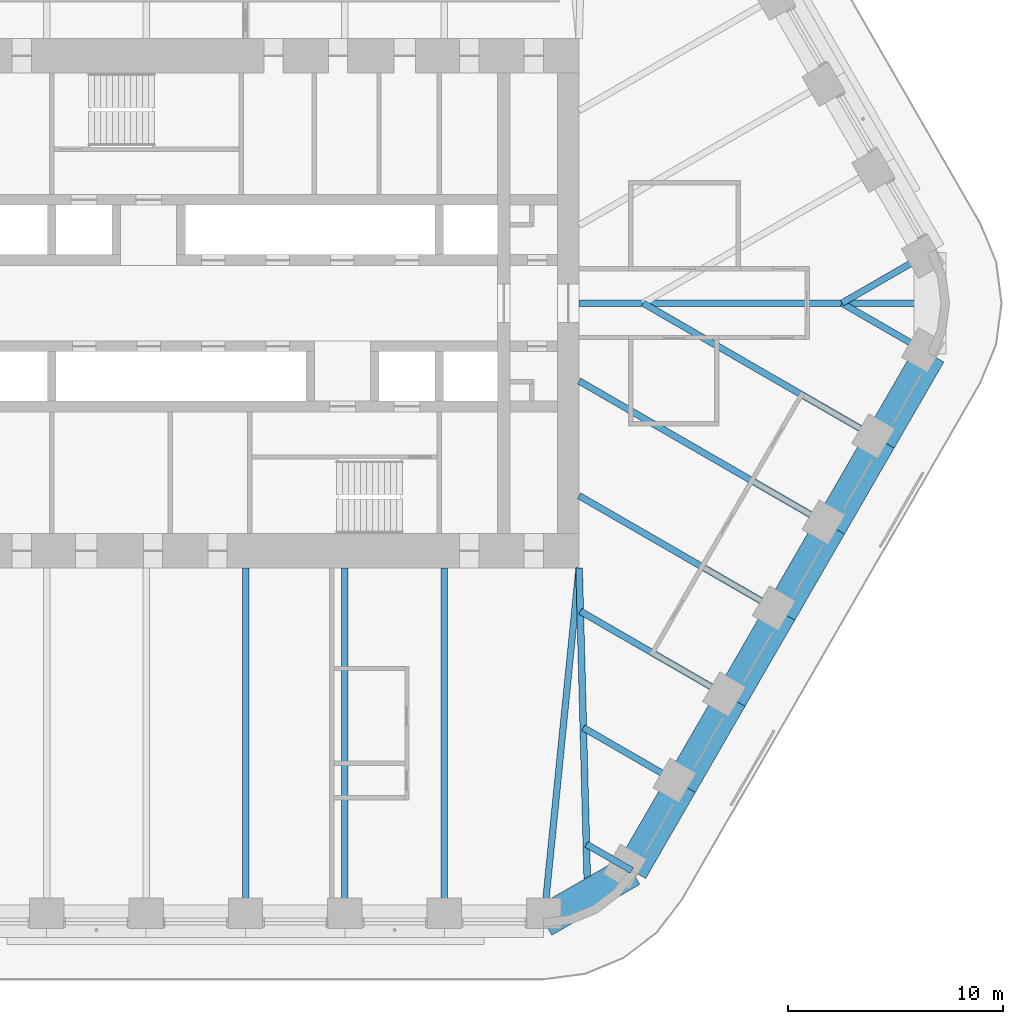
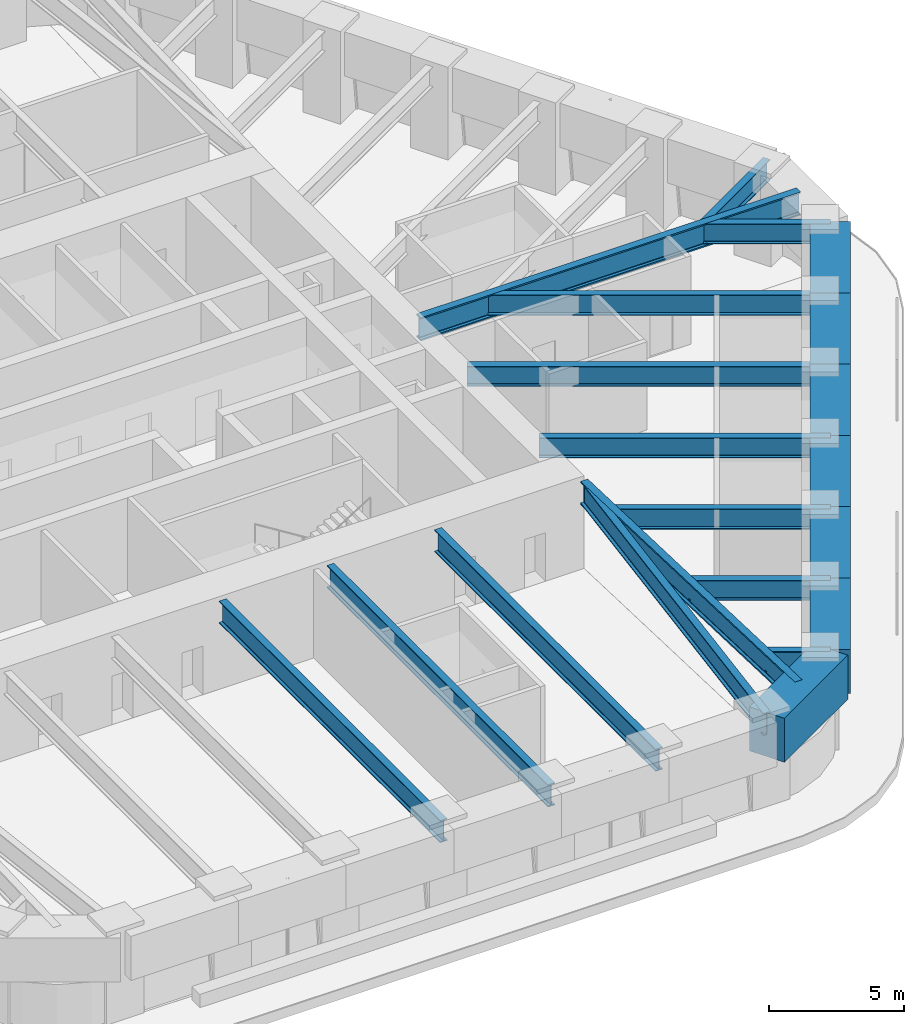
# One storey, part 5 of 20: 21 beams.
"""IFC4 building model written with IfcOpenShell, lengths in metres."""

from ifc_helpers import new_model, si_unit, direction, frame, origin, origin_2d, place, context, subcontext, project, spatial, rectangle, i_section, extrude, material, material_profile, profile_set, type_object, element, save


model = new_model("IFC4")

# Units and contexts
model_context = context("Model", 3, precision=1e-05, world=origin(), true_north=direction((0.0, 1.0)))
body_context = subcontext(model_context, "Body", "Model", "MODEL_VIEW")
ifc_project = project(units=[si_unit("LENGTHUNIT", "METRE"), si_unit("AREAUNIT", "SQUARE_METRE"), si_unit("VOLUMEUNIT", "CUBIC_METRE"), si_unit("PLANEANGLEUNIT", "RADIAN"), si_unit("MASSUNIT", "GRAM", prefix="KILO")], contexts=[model_context])

# Site, building, storey
site_placement = place(None, origin())
site = spatial("IfcSite", under=ifc_project, at=site_placement, CompositionType="ELEMENT")
building_placement = place(site_placement, origin())
building = spatial("IfcBuilding", under=site, at=building_placement, Name="Tarfa Lantern Tower", CompositionType="ELEMENT")
storey_placement = place(building_placement, frame((0.0, 0.0, 219.699951171875)))
storey = spatial("IfcBuildingStorey", under=building, at=storey_placement, Name="L49", CompositionType="ELEMENT", Elevation=219.699951171875)

# Beams
ifc_material_1 = material(Name="Concrete C80/95", Category="concrete")
ifc_material_profile_1 = material_profile(ifc_material_1, rectangle(XDim=1.5, YDim=2.0, at=origin_2d()), Name="RC 1500x2000")
ifc_profile_set_1 = profile_set([ifc_material_profile_1], Name="Concrete C80/95")
beam_type_1 = type_object("IfcBeamType", Name="RB3 RC 1500x2000", PredefinedType="BEAM", material=ifc_profile_set_1)
beam_1_placement = place(storey_placement, frame((13.8564453125, -28.719970703125, 3.0), z_axis=(0.866038294681, 0.499977671647, 0.0), x_axis=(-0.499977671647, 0.866038294681, 0.0)))
element("IfcBeam", 1, at=beam_1_placement, inside=storey, type_object=beam_type_1, Name="Edge beam S6", PredefinedType="BEAM", context=body_context, shape_type="SweptSolid", body=[
    extrude(rectangle(XDim=1.5, YDim=2.0, at=origin_2d()), origin(), (0.0, 0.0, 1.0), 4.719970703125),
])
for number, where, z_axis, x_axis, name in (
    (2, (17.944091796875, -26.360107421875, 3.0), (0.499987836815, 0.866032426089, 0.0), (-0.866032426089, 0.499987836815, 0.0), "Edge beam SE0"),
    (3, (20.25341796875, -22.360107421875, 3.0), (0.499987836815, 0.866032426089, 0.0), (-0.866032426089, 0.499987836815, 0.0), "Edge beam SE1"),
):
    element("IfcBeam", number, at=place(storey_placement, frame(where, z_axis=z_axis, x_axis=x_axis)), inside=storey, type_object=beam_type_1, Name=name, PredefinedType="BEAM", context=body_context, shape_type="SweptSolid", body=[
        extrude(rectangle(XDim=1.5, YDim=2.0, at=origin_2d()), origin(), (0.0, 0.0, 1.0), 4.61865234375),
    ])
beam_2_placement = place(storey_placement, frame((22.562744140625, -18.360107421875, 3.0), z_axis=(0.500027479704, 0.866009537788, 0.0), x_axis=(-0.866009537788, 0.500027479704, 0.0)))
element("IfcBeam", 4, at=beam_2_placement, inside=storey, type_object=beam_type_1, Name="Edge beam SE2", PredefinedType="BEAM", context=body_context, shape_type="SweptSolid", body=[
    extrude(rectangle(XDim=1.5, YDim=2.0, at=origin_2d()), origin(), (0.0, 0.0, 1.0), 4.618896484375),
])
for number, where, z_axis, x_axis, name in (
    (5, (24.872314453125, -14.360107421875, 3.0), (0.499987836815, 0.866032426089, 0.0), (-0.866032426089, 0.499987836815, 0.0), "Edge beam SE3"),
    (6, (27.181640625, -10.360107421875, 3.0), (0.499987836815, 0.866032426089, 0.0), (-0.866032426089, 0.499987836815, 0.0), "Edge beam SE4"),
):
    element("IfcBeam", number, at=place(storey_placement, frame(where, z_axis=z_axis, x_axis=x_axis)), inside=storey, type_object=beam_type_1, Name=name, PredefinedType="BEAM", context=body_context, shape_type="SweptSolid", body=[
        extrude(rectangle(XDim=1.5, YDim=2.0, at=origin_2d()), origin(), (0.0, 0.0, 1.0), 4.61865234375),
    ])
beam_3_placement = place(storey_placement, frame((29.490966796875, -6.360107421875, 3.0), z_axis=(0.500027479704, 0.866009537788, 0.0), x_axis=(-0.866009537788, 0.500027479704, 0.0)))
element("IfcBeam", 7, at=beam_3_placement, inside=storey, type_object=beam_type_1, Name="Edge beam SE5", PredefinedType="BEAM", context=body_context, shape_type="SweptSolid", body=[
    extrude(rectangle(XDim=1.5, YDim=2.0, at=origin_2d()), origin(), (0.0, 0.0, 1.0), 4.618896484375),
])
ifc_material_2 = material(Name="Steel S460M", Category="steel")
ifc_material_profile_2 = material_profile(ifc_material_2, i_section(OverallWidth=0.302001953125, OverallDepth=1.008056640625, WebThickness=0.02099609375, FlangeThickness=0.0400390625, FilletRadius=0.030029296875, at=origin_2d()), Name="UB1016x305x349")
ifc_profile_set_2 = profile_set([ifc_material_profile_2], Name="Steel S460M")
beam_type_2 = type_object("IfcBeamType", Name="UB1016x305x349", PredefinedType="BEAM", material=ifc_profile_set_2)
for number, where, z_axis, x_axis, name in (
    (8, (0.0, -28.719970703125, 3.49609375), (0.0, 1.0, 0.0), (-1.0, 0.0, 0.0), "Floor beam S3"),
    (9, (4.618896484375, -28.719970703125, 3.49609375), (0.0, 1.0, 0.0), (-1.0, 0.0, 0.0), "Floor beam S4"),
    (10, (9.237548828125, -28.719970703125, 3.49609375), (0.0, 1.0, 0.0), (-1.0, 0.0, 0.0), "Floor beam S5"),
):
    element("IfcBeam", number, at=place(storey_placement, frame(where, z_axis=z_axis, x_axis=x_axis)), inside=storey, type_object=beam_type_2, Name=name, PredefinedType="BEAM", context=body_context, shape_type="SweptSolid", body=[
        extrude(i_section(OverallWidth=0.302001953125, OverallDepth=1.008056640625, WebThickness=0.02099609375, FlangeThickness=0.0400390625, FilletRadius=0.030029296875, at=origin_2d()), origin(), (0.0, 0.0, 1.0), 16.419921875),
    ])
beam_4_placement = place(storey_placement, frame((13.8564453125, -28.719970703125, 3.49609375), z_axis=(0.099597466746, 0.995027810977, 0.0), x_axis=(-0.995027810977, 0.099597466746, 0.0)))
element("IfcBeam", 11, at=beam_4_placement, inside=storey, type_object=beam_type_2, Name="Floor beam S6", PredefinedType="BEAM", context=body_context, shape_type="SweptSolid", body=[
    extrude(i_section(OverallWidth=0.302001953125, OverallDepth=1.008056640625, WebThickness=0.02099609375, FlangeThickness=0.0400390625, FilletRadius=0.030029296875, at=origin_2d()), origin(), (0.0, 0.0, 1.0), 16.501953125),
])
ifc_material_profile_3 = material_profile(ifc_material_2, i_section(OverallWidth=0.314208984375, OverallDepth=1.055908203125, WebThickness=0.035888671875, FlangeThickness=0.06396484375, FilletRadius=0.030029296875, at=origin_2d()), Name="UB1016x305x584")
ifc_profile_set_3 = profile_set([ifc_material_profile_3], Name="Steel S460M")
beam_type_3 = type_object("IfcBeamType", Name="UB1016x305x584", PredefinedType="BEAM", material=ifc_profile_set_3)
beam_5_placement = place(storey_placement, frame((15.5, 0.0, 3.47216796875), z_axis=(1.0, 0.0, 0.0), x_axis=(0.0, 1.0, 0.0)))
element("IfcBeam", 12, at=beam_5_placement, inside=storey, type_object=beam_type_3, Name="Hip girder E", PredefinedType="BEAM", context=body_context, shape_type="SweptSolid", body=[
    extrude(i_section(OverallWidth=0.314208984375, OverallDepth=1.055908203125, WebThickness=0.035888671875, FlangeThickness=0.06396484375, FilletRadius=0.030029296875, at=origin_2d()), origin(), (0.0, 0.0, 1.0), 16.300537109375),
])
beam_6_placement = place(storey_placement, frame((15.5, -12.300048828125, 3.47216796875), z_axis=(0.026247301989, -0.999655480222, 0.0), x_axis=(0.999655480222, 0.026247301989, 0.0)))
element("IfcBeam", 13, at=beam_6_placement, inside=storey, type_object=beam_type_3, Name="Hip girder SE", PredefinedType="BEAM", context=body_context, shape_type="SweptSolid", body=[
    extrude(i_section(OverallWidth=0.314208984375, OverallDepth=1.055908203125, WebThickness=0.035888671875, FlangeThickness=0.06396484375, FilletRadius=0.030029296875, at=origin_2d()), origin(), (0.0, 0.0, 1.0), 15.245361328125),
])
ifc_material_profile_4 = material_profile(ifc_material_2, i_section(OverallWidth=0.305419921875, OverallDepth=0.91845703125, WebThickness=0.017333984375, FlangeThickness=0.02783203125, FilletRadius=0.01904296875, at=origin_2d()), Name="UB914x305x253")
ifc_profile_set_4 = profile_set([ifc_material_profile_4], Name="Steel S460M")
beam_type_4 = type_object("IfcBeamType", Name="UB914x305x253", PredefinedType="BEAM", material=ifc_profile_set_4)
beam_7_placement = place(storey_placement, frame((31.800537109375, 2.360107421875, 3.540771484375), z_axis=(-0.866015897305, -0.500016465344, 0.0), x_axis=(0.500016465344, -0.866015897305, 0.0)))
element("IfcBeam", 14, at=beam_7_placement, inside=storey, type_object=beam_type_4, Name="Floor beam NE0", PredefinedType="BEAM", context=body_context, shape_type="SweptSolid", body=[
    extrude(i_section(OverallWidth=0.305419921875, OverallDepth=0.91845703125, WebThickness=0.017333984375, FlangeThickness=0.02783203125, FilletRadius=0.01904296875, at=origin_2d()), origin(), (0.0, 0.0, 1.0), 4.719970703125),
])
beam_8_placement = place(storey_placement, frame((17.944091796875, -26.360107421875, 3.540771484375), z_axis=(-0.865980009423, 0.5000786171, 0.0), x_axis=(-0.5000786171, -0.865980009423, 0.0)))
element("IfcBeam", 15, at=beam_8_placement, inside=storey, type_object=beam_type_4, Name="Floor beam SE0", PredefinedType="BEAM", context=body_context, shape_type="SweptSolid", body=[
    extrude(i_section(OverallWidth=0.305419921875, OverallDepth=0.91845703125, WebThickness=0.017333984375, FlangeThickness=0.02783203125, FilletRadius=0.01904296875, at=origin_2d()), origin(), (0.0, 0.0, 1.0), 2.4326171875),
])
beam_9_placement = place(storey_placement, frame((20.25341796875, -22.360107421875, 3.540771484375), z_axis=(-0.86601951648, 0.500010196972, 0.0), x_axis=(-0.500010196972, -0.86601951648, 0.0)))
element("IfcBeam", 16, at=beam_9_placement, inside=storey, type_object=beam_type_4, Name="Floor beam SE1", PredefinedType="BEAM", context=body_context, shape_type="SweptSolid", body=[
    extrude(i_section(OverallWidth=0.305419921875, OverallDepth=0.91845703125, WebThickness=0.017333984375, FlangeThickness=0.02783203125, FilletRadius=0.01904296875, at=origin_2d()), origin(), (0.0, 0.0, 1.0), 5.263671875),
])
beam_10_placement = place(storey_placement, frame((22.562744140625, -18.360107421875, 3.540771484375), z_axis=(-0.866010787764, 0.500025314835, 0.0), x_axis=(-0.500025314835, -0.866010787764, 0.0)))
element("IfcBeam", 17, at=beam_10_placement, inside=storey, type_object=beam_type_4, Name="Floor beam SE2", PredefinedType="BEAM", context=body_context, shape_type="SweptSolid", body=[
    extrude(i_section(OverallWidth=0.305419921875, OverallDepth=0.91845703125, WebThickness=0.017333984375, FlangeThickness=0.02783203125, FilletRadius=0.01904296875, at=origin_2d()), origin(), (0.0, 0.0, 1.0), 8.09423828125),
])
beam_11_placement = place(storey_placement, frame((24.872314453125, -14.360107421875, 3.540771484375), z_axis=(-0.8660244219, 0.500001700669, 0.0), x_axis=(-0.500001700669, -0.8660244219, 0.0)))
element("IfcBeam", 18, at=beam_11_placement, inside=storey, type_object=beam_type_4, Name="Floor beam SE3", PredefinedType="BEAM", context=body_context, shape_type="SweptSolid", body=[
    extrude(i_section(OverallWidth=0.305419921875, OverallDepth=0.91845703125, WebThickness=0.017333984375, FlangeThickness=0.02783203125, FilletRadius=0.01904296875, at=origin_2d()), origin(), (0.0, 0.0, 1.0), 10.822265625),
])
beam_12_placement = place(storey_placement, frame((27.181640625, -10.360107421875, 3.540771484375), z_axis=(-0.866018002818, 0.500012818631, 0.0), x_axis=(-0.500012818631, -0.866018002818, 0.0)))
element("IfcBeam", 19, at=beam_12_placement, inside=storey, type_object=beam_type_4, Name="Floor beam SE4", PredefinedType="BEAM", context=body_context, shape_type="SweptSolid", body=[
    extrude(i_section(OverallWidth=0.305419921875, OverallDepth=0.91845703125, WebThickness=0.017333984375, FlangeThickness=0.02783203125, FilletRadius=0.01904296875, at=origin_2d()), origin(), (0.0, 0.0, 1.0), 13.489013671875),
])
beam_13_placement = place(storey_placement, frame((29.490966796875, -6.360107421875, 3.540771484375), z_axis=(-0.866022258038, 0.500005448553, 0.0), x_axis=(-0.500005448553, -0.866022258038, 0.0)))
element("IfcBeam", 20, at=beam_13_placement, inside=storey, type_object=beam_type_4, Name="Floor beam SE5", PredefinedType="BEAM", context=body_context, shape_type="SweptSolid", body=[
    extrude(i_section(OverallWidth=0.305419921875, OverallDepth=0.91845703125, WebThickness=0.017333984375, FlangeThickness=0.02783203125, FilletRadius=0.01904296875, at=origin_2d()), origin(), (0.0, 0.0, 1.0), 12.719970703125),
])
beam_14_placement = place(storey_placement, frame((31.800537109375, -2.360107421875, 3.540771484375), z_axis=(-0.866015897305, 0.500016465344, 0.0), x_axis=(-0.500016465344, -0.866015897305, 0.0)))
element("IfcBeam", 21, at=beam_14_placement, inside=storey, type_object=beam_type_4, Name="Floor beam SE6", PredefinedType="BEAM", context=body_context, shape_type="SweptSolid", body=[
    extrude(i_section(OverallWidth=0.305419921875, OverallDepth=0.91845703125, WebThickness=0.017333984375, FlangeThickness=0.02783203125, FilletRadius=0.01904296875, at=origin_2d()), origin(), (0.0, 0.0, 1.0), 4.719970703125),
])

save(model, "model.ifc")
